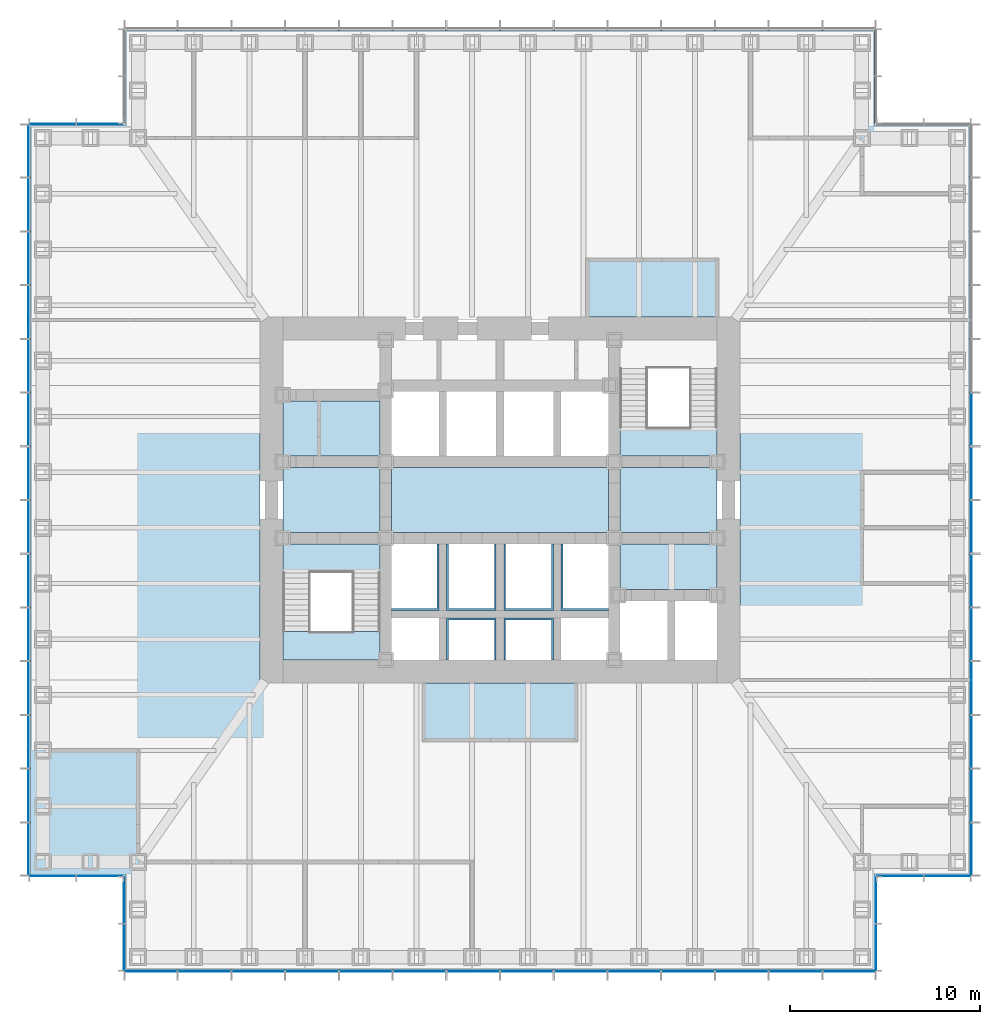
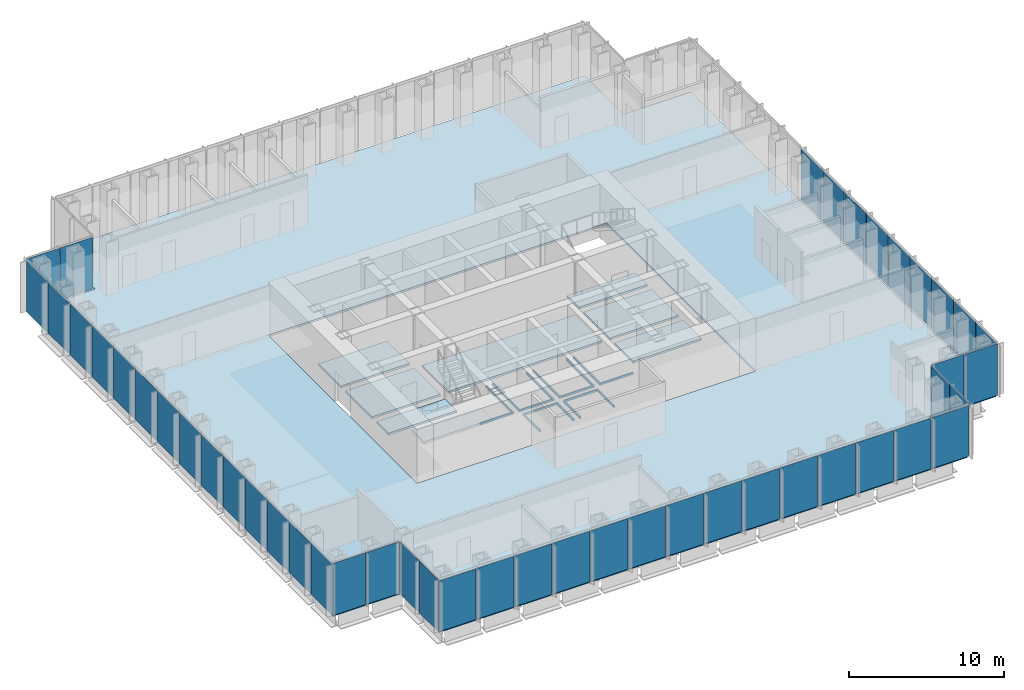
# One storey, part 7 of 16: 47 plates, 15 slabs, 9 elements without a shape of their own.
"""IFC4 building model written with IfcOpenShell, lengths in metres."""

from ifc_helpers import new_model, si_unit, direction, frame, origin, origin_2d, place, context, subcontext, project, spatial, polyline, rectangle, outline, extrude, material, layer, layer_set, type_object, element, aggregate, save


model = new_model("IFC4")

# Units and contexts
model_context = context("Model", 3, precision=1e-05, world=origin(), true_north=direction((0.0, 1.0)))
body_context = subcontext(model_context, "Body", "Model", "MODEL_VIEW")
ifc_project = project(units=[si_unit("LENGTHUNIT", "METRE"), si_unit("AREAUNIT", "SQUARE_METRE"), si_unit("VOLUMEUNIT", "CUBIC_METRE"), si_unit("PLANEANGLEUNIT", "RADIAN"), si_unit("MASSUNIT", "GRAM", prefix="KILO")], contexts=[model_context])

# Site, building, storey
site_placement = place(None, origin())
site = spatial("IfcSite", under=ifc_project, at=site_placement, CompositionType="ELEMENT")
building_placement = place(site_placement, origin())
building = spatial("IfcBuilding", under=site, at=building_placement, Name="Daluyong Arena Tower", CompositionType="ELEMENT")
storey_placement = place(building_placement, frame((0.0, 0.0, 68.5)))
storey = spatial("IfcBuildingStorey", under=building, at=storey_placement, Name="L14", CompositionType="ELEMENT", Elevation=68.5)

# Curtain wall, plates
ifc_material_1 = material(Name="Bronze anodised aluminium and glass", Category="aluminium")
curtain_wall_type_1 = type_object("IfcCurtainWallType", Name="Curtain wall CW1", PredefinedType="USERDEFINED", material=ifc_material_1)
curtain_wall_1_placement = place(storey_placement, origin())
curtain_wall_1 = element("IfcCurtainWall", 1, at=curtain_wall_1_placement, inside=storey, type_object=curtain_wall_type_1, Name="curtain wall L14 S", ObjectType="UNITISED CURTAIN WALL", PredefinedType="USERDEFINED")
ifc_material_2 = material(Name="Tinted double glazed unit", Category="glass")
ifc_layer_1 = layer(ifc_material_2, 0.031982421875)
ifc_layer_set_1 = layer_set([ifc_layer_1], Name="Tinted double glazed unit")
plate_type_1 = type_object("IfcPlateType", Name="CW1 panel 32", PredefinedType="CURTAIN_PANEL", material=ifc_layer_set_1)
plate_1_placement = place(storey_placement, frame((37.6806640625, 55.25, 0.0), z_axis=(0.0, 0.0, 1.0), x_axis=(1.0, 0.0, 0.0)))
plate_1 = element("IfcPlate", 2, at=plate_1_placement, type_object=plate_type_1, Name="curtain wall L14 S panel 1", PredefinedType="CURTAIN_PANEL", context=body_context, shape_type="SweptSolid", body=[
    extrude(rectangle(XDim=2.701416015625, YDim=0.031982421875, at=origin_2d()), origin(), (0.0, 0.0, 1.0), 4.0),
])
plate_2_placement = place(storey_placement, frame((40.482177734375, 55.25, 0.0), z_axis=(0.0, 0.0, 1.0), x_axis=(1.0, 0.0, 0.0)))
plate_2 = element("IfcPlate", 3, at=plate_2_placement, type_object=plate_type_1, Name="curtain wall L14 S panel 2", PredefinedType="CURTAIN_PANEL", context=body_context, shape_type="SweptSolid", body=[
    extrude(rectangle(XDim=2.741455078125, YDim=0.031982421875, at=origin_2d()), origin(), (0.0, 0.0, 1.0), 4.0),
])
plate_3_placement = place(storey_placement, frame((43.303466796875, 55.25, 0.0), z_axis=(0.0, 0.0, 1.0), x_axis=(1.0, 0.0, 0.0)))
plate_3 = element("IfcPlate", 4, at=plate_3_placement, type_object=plate_type_1, Name="curtain wall L14 S panel 3", PredefinedType="CURTAIN_PANEL", context=body_context, shape_type="SweptSolid", body=[
    extrude(rectangle(XDim=2.741455078125, YDim=0.031982421875, at=origin_2d()), origin(), (0.0, 0.0, 1.0), 4.0),
])
plate_4_placement = place(storey_placement, frame((46.125, 55.25, 0.0), z_axis=(0.0, 0.0, 1.0), x_axis=(1.0, 0.0, 0.0)))
plate_4 = element("IfcPlate", 5, at=plate_4_placement, type_object=plate_type_1, Name="curtain wall L14 S panel 4", PredefinedType="CURTAIN_PANEL", context=body_context, shape_type="SweptSolid", body=[
    extrude(rectangle(XDim=2.741455078125, YDim=0.031982421875, at=origin_2d()), origin(), (0.0, 0.0, 1.0), 4.0),
])
plate_5_placement = place(storey_placement, frame((48.946533203125, 55.25, 0.0), z_axis=(0.0, 0.0, 1.0), x_axis=(1.0, 0.0, 0.0)))
plate_5 = element("IfcPlate", 6, at=plate_5_placement, type_object=plate_type_1, Name="curtain wall L14 S panel 5", PredefinedType="CURTAIN_PANEL", context=body_context, shape_type="SweptSolid", body=[
    extrude(rectangle(XDim=2.741455078125, YDim=0.031982421875, at=origin_2d()), origin(), (0.0, 0.0, 1.0), 4.0),
])
plate_6_placement = place(storey_placement, frame((51.767822265625, 55.25, 0.0), z_axis=(0.0, 0.0, 1.0), x_axis=(1.0, 0.0, 0.0)))
plate_6 = element("IfcPlate", 7, at=plate_6_placement, type_object=plate_type_1, Name="curtain wall L14 S panel 6", PredefinedType="CURTAIN_PANEL", context=body_context, shape_type="SweptSolid", body=[
    extrude(rectangle(XDim=2.741455078125, YDim=0.031982421875, at=origin_2d()), origin(), (0.0, 0.0, 1.0), 4.0),
])
plate_7_placement = place(storey_placement, frame((54.58935546875, 55.25, 0.0), z_axis=(0.0, 0.0, 1.0), x_axis=(1.0, 0.0, 0.0)))
plate_7 = element("IfcPlate", 8, at=plate_7_placement, type_object=plate_type_1, Name="curtain wall L14 S panel 7", PredefinedType="CURTAIN_PANEL", context=body_context, shape_type="SweptSolid", body=[
    extrude(rectangle(XDim=2.741455078125, YDim=0.031982421875, at=origin_2d()), origin(), (0.0, 0.0, 1.0), 4.0),
])
plate_8_placement = place(storey_placement, frame((57.41064453125, 55.25, 0.0), z_axis=(0.0, 0.0, 1.0), x_axis=(1.0, 0.0, 0.0)))
plate_8 = element("IfcPlate", 9, at=plate_8_placement, type_object=plate_type_1, Name="curtain wall L14 S panel 8", PredefinedType="CURTAIN_PANEL", context=body_context, shape_type="SweptSolid", body=[
    extrude(rectangle(XDim=2.741455078125, YDim=0.031982421875, at=origin_2d()), origin(), (0.0, 0.0, 1.0), 4.0),
])
plate_9_placement = place(storey_placement, frame((60.232177734375, 55.25, 0.0), z_axis=(0.0, 0.0, 1.0), x_axis=(1.0, 0.0, 0.0)))
plate_9 = element("IfcPlate", 10, at=plate_9_placement, type_object=plate_type_1, Name="curtain wall L14 S panel 9", PredefinedType="CURTAIN_PANEL", context=body_context, shape_type="SweptSolid", body=[
    extrude(rectangle(XDim=2.741455078125, YDim=0.031982421875, at=origin_2d()), origin(), (0.0, 0.0, 1.0), 4.0),
])
plate_10_placement = place(storey_placement, frame((63.053466796875, 55.25, 0.0), z_axis=(0.0, 0.0, 1.0), x_axis=(1.0, 0.0, 0.0)))
plate_10 = element("IfcPlate", 11, at=plate_10_placement, type_object=plate_type_1, Name="curtain wall L14 S panel 10", PredefinedType="CURTAIN_PANEL", context=body_context, shape_type="SweptSolid", body=[
    extrude(rectangle(XDim=2.741455078125, YDim=0.031982421875, at=origin_2d()), origin(), (0.0, 0.0, 1.0), 4.0),
])
plate_11_placement = place(storey_placement, frame((65.875, 55.25, 0.0), z_axis=(0.0, 0.0, 1.0), x_axis=(1.0, 0.0, 0.0)))
plate_11 = element("IfcPlate", 12, at=plate_11_placement, type_object=plate_type_1, Name="curtain wall L14 S panel 11", PredefinedType="CURTAIN_PANEL", context=body_context, shape_type="SweptSolid", body=[
    extrude(rectangle(XDim=2.741455078125, YDim=0.031982421875, at=origin_2d()), origin(), (0.0, 0.0, 1.0), 4.0),
])
plate_12_placement = place(storey_placement, frame((68.696533203125, 55.25, 0.0), z_axis=(0.0, 0.0, 1.0), x_axis=(1.0, 0.0, 0.0)))
plate_12 = element("IfcPlate", 13, at=plate_12_placement, type_object=plate_type_1, Name="curtain wall L14 S panel 12", PredefinedType="CURTAIN_PANEL", context=body_context, shape_type="SweptSolid", body=[
    extrude(rectangle(XDim=2.741455078125, YDim=0.031982421875, at=origin_2d()), origin(), (0.0, 0.0, 1.0), 4.0),
])
plate_13_placement = place(storey_placement, frame((71.517822265625, 55.25, 0.0), z_axis=(0.0, 0.0, 1.0), x_axis=(1.0, 0.0, 0.0)))
plate_13 = element("IfcPlate", 14, at=plate_13_placement, type_object=plate_type_1, Name="curtain wall L14 S panel 13", PredefinedType="CURTAIN_PANEL", context=body_context, shape_type="SweptSolid", body=[
    extrude(rectangle(XDim=2.741455078125, YDim=0.031982421875, at=origin_2d()), origin(), (0.0, 0.0, 1.0), 4.0),
])
plate_14_placement = place(storey_placement, frame((74.3193359375, 55.25, 0.0), z_axis=(0.0, 0.0, 1.0), x_axis=(1.0, 0.0, 0.0)))
plate_14 = element("IfcPlate", 15, at=plate_14_placement, type_object=plate_type_1, Name="curtain wall L14 S panel 14", PredefinedType="CURTAIN_PANEL", context=body_context, shape_type="SweptSolid", body=[
    extrude(rectangle(XDim=2.701416015625, YDim=0.031982421875, at=origin_2d()), origin(), (0.0, 0.0, 1.0), 4.0),
])
aggregate(curtain_wall_1, [plate_1, plate_2, plate_3, plate_4, plate_5, plate_6, plate_7, plate_8, plate_9, plate_10, plate_11, plate_12, plate_13, plate_14])

curtain_wall_2_placement = place(storey_placement, origin())
curtain_wall_2 = element("IfcCurtainWall", 16, at=curtain_wall_2_placement, inside=storey, type_object=curtain_wall_type_1, Name="curtain wall L14 E", ObjectType="UNITISED CURTAIN WALL", PredefinedType="USERDEFINED")
plate_15_placement = place(storey_placement, frame((80.75, 61.6806640625, 0.0), z_axis=(0.0, 0.0, 1.0), x_axis=(0.0, 1.0, 0.0)))
plate_15 = element("IfcPlate", 17, at=plate_15_placement, type_object=plate_type_1, Name="curtain wall L14 E panel 1", PredefinedType="CURTAIN_PANEL", context=body_context, shape_type="SweptSolid", body=[
    extrude(rectangle(XDim=2.701416015625, YDim=0.031982421875, at=origin_2d()), origin(), (0.0, 0.0, 1.0), 4.0),
])
plate_16_placement = place(storey_placement, frame((80.75, 64.482177734375, 0.0), z_axis=(0.0, 0.0, 1.0), x_axis=(0.0, 1.0, 0.0)))
plate_16 = element("IfcPlate", 18, at=plate_16_placement, type_object=plate_type_1, Name="curtain wall L14 E panel 2", PredefinedType="CURTAIN_PANEL", context=body_context, shape_type="SweptSolid", body=[
    extrude(rectangle(XDim=2.741455078125, YDim=0.031982421875, at=origin_2d()), origin(), (0.0, 0.0, 1.0), 4.0),
])
plate_17_placement = place(storey_placement, frame((80.75, 67.303466796875, 0.0), z_axis=(0.0, 0.0, 1.0), x_axis=(0.0, 1.0, 0.0)))
plate_17 = element("IfcPlate", 19, at=plate_17_placement, type_object=plate_type_1, Name="curtain wall L14 E panel 3", PredefinedType="CURTAIN_PANEL", context=body_context, shape_type="SweptSolid", body=[
    extrude(rectangle(XDim=2.741455078125, YDim=0.031982421875, at=origin_2d()), origin(), (0.0, 0.0, 1.0), 4.0),
])
plate_18_placement = place(storey_placement, frame((80.75, 70.125, 0.0), z_axis=(0.0, 0.0, 1.0), x_axis=(0.0, 1.0, 0.0)))
plate_18 = element("IfcPlate", 20, at=plate_18_placement, type_object=plate_type_1, Name="curtain wall L14 E panel 4", PredefinedType="CURTAIN_PANEL", context=body_context, shape_type="SweptSolid", body=[
    extrude(rectangle(XDim=2.741455078125, YDim=0.031982421875, at=origin_2d()), origin(), (0.0, 0.0, 1.0), 4.0),
])
plate_19_placement = place(storey_placement, frame((80.75, 72.946533203125, 0.0), z_axis=(0.0, 0.0, 1.0), x_axis=(0.0, 1.0, 0.0)))
plate_19 = element("IfcPlate", 21, at=plate_19_placement, type_object=plate_type_1, Name="curtain wall L14 E panel 5", PredefinedType="CURTAIN_PANEL", context=body_context, shape_type="SweptSolid", body=[
    extrude(rectangle(XDim=2.741455078125, YDim=0.031982421875, at=origin_2d()), origin(), (0.0, 0.0, 1.0), 4.0),
])
plate_20_placement = place(storey_placement, frame((80.75, 75.767822265625, 0.0), z_axis=(0.0, 0.0, 1.0), x_axis=(0.0, 1.0, 0.0)))
plate_20 = element("IfcPlate", 22, at=plate_20_placement, type_object=plate_type_1, Name="curtain wall L14 E panel 6", PredefinedType="CURTAIN_PANEL", context=body_context, shape_type="SweptSolid", body=[
    extrude(rectangle(XDim=2.741455078125, YDim=0.031982421875, at=origin_2d()), origin(), (0.0, 0.0, 1.0), 4.0),
])
plate_21_placement = place(storey_placement, frame((80.75, 78.58935546875, 0.0), z_axis=(0.0, 0.0, 1.0), x_axis=(0.0, 1.0, 0.0)))
plate_21 = element("IfcPlate", 23, at=plate_21_placement, type_object=plate_type_1, Name="curtain wall L14 E panel 7", PredefinedType="CURTAIN_PANEL", context=body_context, shape_type="SweptSolid", body=[
    extrude(rectangle(XDim=2.741455078125, YDim=0.031982421875, at=origin_2d()), origin(), (0.0, 0.0, 1.0), 4.0),
])
plate_22_placement = place(storey_placement, frame((80.75, 81.41064453125, 0.0), z_axis=(0.0, 0.0, 1.0), x_axis=(0.0, 1.0, 0.0)))
plate_22 = element("IfcPlate", 24, at=plate_22_placement, type_object=plate_type_1, Name="curtain wall L14 E panel 8", PredefinedType="CURTAIN_PANEL", context=body_context, shape_type="SweptSolid", body=[
    extrude(rectangle(XDim=2.741455078125, YDim=0.031982421875, at=origin_2d()), origin(), (0.0, 0.0, 1.0), 4.0),
])
plate_23_placement = place(storey_placement, frame((80.75, 84.232177734375, 0.0), z_axis=(0.0, 0.0, 1.0), x_axis=(0.0, 1.0, 0.0)))
plate_23 = element("IfcPlate", 25, at=plate_23_placement, type_object=plate_type_1, Name="curtain wall L14 E panel 9", PredefinedType="CURTAIN_PANEL", context=body_context, shape_type="SweptSolid", body=[
    extrude(rectangle(XDim=2.741455078125, YDim=0.031982421875, at=origin_2d()), origin(), (0.0, 0.0, 1.0), 4.0),
])
aggregate(curtain_wall_2, [plate_15, plate_16, plate_17, plate_18, plate_19, plate_20, plate_21, plate_22, plate_23])

curtain_wall_3_placement = place(storey_placement, origin())
curtain_wall_3 = element("IfcCurtainWall", 26, at=curtain_wall_3_placement, inside=storey, type_object=curtain_wall_type_1, Name="curtain wall L14 W", ObjectType="UNITISED CURTAIN WALL", PredefinedType="USERDEFINED")
plate_24_placement = place(storey_placement, frame((31.25, 98.3193359375, 0.0), z_axis=(0.0, 0.0, 1.0), x_axis=(0.0, -1.0, 0.0)))
plate_24 = element("IfcPlate", 27, at=plate_24_placement, type_object=plate_type_1, Name="curtain wall L14 W panel 1", PredefinedType="CURTAIN_PANEL", context=body_context, shape_type="SweptSolid", body=[
    extrude(rectangle(XDim=2.701416015625, YDim=0.031982421875, at=origin_2d()), origin(), (0.0, 0.0, 1.0), 4.0),
])
plate_25_placement = place(storey_placement, frame((31.25, 95.517822265625, 0.0), z_axis=(0.0, 0.0, 1.0), x_axis=(0.0, -1.0, 0.0)))
plate_25 = element("IfcPlate", 28, at=plate_25_placement, type_object=plate_type_1, Name="curtain wall L14 W panel 2", PredefinedType="CURTAIN_PANEL", context=body_context, shape_type="SweptSolid", body=[
    extrude(rectangle(XDim=2.741455078125, YDim=0.031982421875, at=origin_2d()), origin(), (0.0, 0.0, 1.0), 4.0),
])
plate_26_placement = place(storey_placement, frame((31.25, 92.696533203125, 0.0), z_axis=(0.0, 0.0, 1.0), x_axis=(0.0, -1.0, 0.0)))
plate_26 = element("IfcPlate", 29, at=plate_26_placement, type_object=plate_type_1, Name="curtain wall L14 W panel 3", PredefinedType="CURTAIN_PANEL", context=body_context, shape_type="SweptSolid", body=[
    extrude(rectangle(XDim=2.741455078125, YDim=0.031982421875, at=origin_2d()), origin(), (0.0, 0.0, 1.0), 4.0),
])
plate_27_placement = place(storey_placement, frame((31.25, 89.875, 0.0), z_axis=(0.0, 0.0, 1.0), x_axis=(0.0, -1.0, 0.0)))
plate_27 = element("IfcPlate", 30, at=plate_27_placement, type_object=plate_type_1, Name="curtain wall L14 W panel 4", PredefinedType="CURTAIN_PANEL", context=body_context, shape_type="SweptSolid", body=[
    extrude(rectangle(XDim=2.741455078125, YDim=0.031982421875, at=origin_2d()), origin(), (0.0, 0.0, 1.0), 4.0),
])
plate_28_placement = place(storey_placement, frame((31.25, 87.053466796875, 0.0), z_axis=(0.0, 0.0, 1.0), x_axis=(0.0, -1.0, 0.0)))
plate_28 = element("IfcPlate", 31, at=plate_28_placement, type_object=plate_type_1, Name="curtain wall L14 W panel 5", PredefinedType="CURTAIN_PANEL", context=body_context, shape_type="SweptSolid", body=[
    extrude(rectangle(XDim=2.741455078125, YDim=0.031982421875, at=origin_2d()), origin(), (0.0, 0.0, 1.0), 4.0),
])
plate_29_placement = place(storey_placement, frame((31.25, 84.232177734375, 0.0), z_axis=(0.0, 0.0, 1.0), x_axis=(0.0, -1.0, 0.0)))
plate_29 = element("IfcPlate", 32, at=plate_29_placement, type_object=plate_type_1, Name="curtain wall L14 W panel 6", PredefinedType="CURTAIN_PANEL", context=body_context, shape_type="SweptSolid", body=[
    extrude(rectangle(XDim=2.741455078125, YDim=0.031982421875, at=origin_2d()), origin(), (0.0, 0.0, 1.0), 4.0),
])
plate_30_placement = place(storey_placement, frame((31.25, 81.41064453125, 0.0), z_axis=(0.0, 0.0, 1.0), x_axis=(0.0, -1.0, 0.0)))
plate_30 = element("IfcPlate", 33, at=plate_30_placement, type_object=plate_type_1, Name="curtain wall L14 W panel 7", PredefinedType="CURTAIN_PANEL", context=body_context, shape_type="SweptSolid", body=[
    extrude(rectangle(XDim=2.741455078125, YDim=0.031982421875, at=origin_2d()), origin(), (0.0, 0.0, 1.0), 4.0),
])
plate_31_placement = place(storey_placement, frame((31.25, 78.58935546875, 0.0), z_axis=(0.0, 0.0, 1.0), x_axis=(0.0, -1.0, 0.0)))
plate_31 = element("IfcPlate", 34, at=plate_31_placement, type_object=plate_type_1, Name="curtain wall L14 W panel 8", PredefinedType="CURTAIN_PANEL", context=body_context, shape_type="SweptSolid", body=[
    extrude(rectangle(XDim=2.741455078125, YDim=0.031982421875, at=origin_2d()), origin(), (0.0, 0.0, 1.0), 4.0),
])
plate_32_placement = place(storey_placement, frame((31.25, 75.767822265625, 0.0), z_axis=(0.0, 0.0, 1.0), x_axis=(0.0, -1.0, 0.0)))
plate_32 = element("IfcPlate", 35, at=plate_32_placement, type_object=plate_type_1, Name="curtain wall L14 W panel 9", PredefinedType="CURTAIN_PANEL", context=body_context, shape_type="SweptSolid", body=[
    extrude(rectangle(XDim=2.741455078125, YDim=0.031982421875, at=origin_2d()), origin(), (0.0, 0.0, 1.0), 4.0),
])
plate_33_placement = place(storey_placement, frame((31.25, 72.946533203125, 0.0), z_axis=(0.0, 0.0, 1.0), x_axis=(0.0, -1.0, 0.0)))
plate_33 = element("IfcPlate", 36, at=plate_33_placement, type_object=plate_type_1, Name="curtain wall L14 W panel 10", PredefinedType="CURTAIN_PANEL", context=body_context, shape_type="SweptSolid", body=[
    extrude(rectangle(XDim=2.741455078125, YDim=0.031982421875, at=origin_2d()), origin(), (0.0, 0.0, 1.0), 4.0),
])
plate_34_placement = place(storey_placement, frame((31.25, 70.125, 0.0), z_axis=(0.0, 0.0, 1.0), x_axis=(0.0, -1.0, 0.0)))
plate_34 = element("IfcPlate", 37, at=plate_34_placement, type_object=plate_type_1, Name="curtain wall L14 W panel 11", PredefinedType="CURTAIN_PANEL", context=body_context, shape_type="SweptSolid", body=[
    extrude(rectangle(XDim=2.741455078125, YDim=0.031982421875, at=origin_2d()), origin(), (0.0, 0.0, 1.0), 4.0),
])
plate_35_placement = place(storey_placement, frame((31.25, 67.303466796875, 0.0), z_axis=(0.0, 0.0, 1.0), x_axis=(0.0, -1.0, 0.0)))
plate_35 = element("IfcPlate", 38, at=plate_35_placement, type_object=plate_type_1, Name="curtain wall L14 W panel 12", PredefinedType="CURTAIN_PANEL", context=body_context, shape_type="SweptSolid", body=[
    extrude(rectangle(XDim=2.741455078125, YDim=0.031982421875, at=origin_2d()), origin(), (0.0, 0.0, 1.0), 4.0),
])
plate_36_placement = place(storey_placement, frame((31.25, 64.482177734375, 0.0), z_axis=(0.0, 0.0, 1.0), x_axis=(0.0, -1.0, 0.0)))
plate_36 = element("IfcPlate", 39, at=plate_36_placement, type_object=plate_type_1, Name="curtain wall L14 W panel 13", PredefinedType="CURTAIN_PANEL", context=body_context, shape_type="SweptSolid", body=[
    extrude(rectangle(XDim=2.741455078125, YDim=0.031982421875, at=origin_2d()), origin(), (0.0, 0.0, 1.0), 4.0),
])
plate_37_placement = place(storey_placement, frame((31.25, 61.6806640625, 0.0), z_axis=(0.0, 0.0, 1.0), x_axis=(0.0, -1.0, 0.0)))
plate_37 = element("IfcPlate", 40, at=plate_37_placement, type_object=plate_type_1, Name="curtain wall L14 W panel 14", PredefinedType="CURTAIN_PANEL", context=body_context, shape_type="SweptSolid", body=[
    extrude(rectangle(XDim=2.701416015625, YDim=0.031982421875, at=origin_2d()), origin(), (0.0, 0.0, 1.0), 4.0),
])
aggregate(curtain_wall_3, [plate_24, plate_25, plate_26, plate_27, plate_28, plate_29, plate_30, plate_31, plate_32, plate_33, plate_34, plate_35, plate_36, plate_37])

ifc_material_3 = material(Name="Bronze anodised aluminium and glass", Category="aluminium")
curtain_wall_type_2 = type_object("IfcCurtainWallType", Name="Curtain wall CW7", PredefinedType="USERDEFINED", material=ifc_material_3)
curtain_wall_4_placement = place(storey_placement, origin())
curtain_wall_4 = element("IfcCurtainWall", 41, at=curtain_wall_4_placement, inside=storey, type_object=curtain_wall_type_2, Name="curtain wall L14 SE-E", ObjectType="UNITISED CURTAIN WALL", PredefinedType="USERDEFINED")
ifc_material_4 = material(Name="Tinted double glazed unit", Category="glass")
ifc_layer_2 = layer(ifc_material_4, 0.028076171875)
ifc_layer_set_2 = layer_set([ifc_layer_2], Name="Tinted double glazed unit")
plate_type_2 = type_object("IfcPlateType", Name="CW7 panel 28", PredefinedType="CURTAIN_PANEL", material=ifc_layer_set_2)
plate_38_placement = place(storey_placement, frame((75.75, 56.514892578125, 0.0), z_axis=(0.0, 0.0, 1.0), x_axis=(0.0, 1.0, 0.0)))
plate_38 = element("IfcPlate", 42, at=plate_38_placement, type_object=plate_type_2, Name="curtain wall L14 SE-E panel 1", PredefinedType="CURTAIN_PANEL", context=body_context, shape_type="SweptSolid", body=[
    extrude(rectangle(XDim=2.409912109375, YDim=0.028076171875, at=origin_2d()), origin(), (0.0, 0.0, 1.0), 4.080078125),
])
plate_39_placement = place(storey_placement, frame((75.75, 58.985107421875, 0.0), z_axis=(0.0, 0.0, 1.0), x_axis=(0.0, 1.0, 0.0)))
plate_39 = element("IfcPlate", 43, at=plate_39_placement, type_object=plate_type_2, Name="curtain wall L14 SE-E panel 2", PredefinedType="CURTAIN_PANEL", context=body_context, shape_type="SweptSolid", body=[
    extrude(rectangle(XDim=2.409912109375, YDim=0.028076171875, at=origin_2d()), origin(), (0.0, 0.0, 1.0), 4.080078125),
])
aggregate(curtain_wall_4, [plate_38, plate_39])

curtain_wall_5_placement = place(storey_placement, origin())
curtain_wall_5 = element("IfcCurtainWall", 44, at=curtain_wall_5_placement, inside=storey, type_object=curtain_wall_type_2, Name="curtain wall L14 SE-S", ObjectType="UNITISED CURTAIN WALL", PredefinedType="USERDEFINED")
plate_40_placement = place(storey_placement, frame((77.014892578125, 60.25, 0.0), z_axis=(0.0, 0.0, 1.0), x_axis=(1.0, 0.0, 0.0)))
plate_40 = element("IfcPlate", 45, at=plate_40_placement, type_object=plate_type_2, Name="curtain wall L14 SE-S panel 1", PredefinedType="CURTAIN_PANEL", context=body_context, shape_type="SweptSolid", body=[
    extrude(rectangle(XDim=2.409912109375, YDim=0.028076171875, at=origin_2d()), origin(), (0.0, 0.0, 1.0), 4.080078125),
])
plate_41_placement = place(storey_placement, frame((79.485107421875, 60.25, 0.0), z_axis=(0.0, 0.0, 1.0), x_axis=(1.0, 0.0, 0.0)))
plate_41 = element("IfcPlate", 46, at=plate_41_placement, type_object=plate_type_2, Name="curtain wall L14 SE-S panel 2", PredefinedType="CURTAIN_PANEL", context=body_context, shape_type="SweptSolid", body=[
    extrude(rectangle(XDim=2.409912109375, YDim=0.028076171875, at=origin_2d()), origin(), (0.0, 0.0, 1.0), 4.080078125),
])
aggregate(curtain_wall_5, [plate_40, plate_41])

curtain_wall_6_placement = place(storey_placement, origin())
curtain_wall_6 = element("IfcCurtainWall", 47, at=curtain_wall_6_placement, inside=storey, type_object=curtain_wall_type_2, Name="curtain wall L14 NW-N", ObjectType="UNITISED CURTAIN WALL", PredefinedType="USERDEFINED")
plate_42_placement = place(storey_placement, frame((34.985107421875, 99.75, 0.0), z_axis=(0.0, 0.0, 1.0), x_axis=(-1.0, 0.0, 0.0)))
plate_42 = element("IfcPlate", 48, at=plate_42_placement, type_object=plate_type_2, Name="curtain wall L14 NW-N panel 1", PredefinedType="CURTAIN_PANEL", context=body_context, shape_type="SweptSolid", body=[
    extrude(rectangle(XDim=2.409912109375, YDim=0.028076171875, at=origin_2d()), origin(), (0.0, 0.0, 1.0), 4.080078125),
])
plate_43_placement = place(storey_placement, frame((32.514892578125, 99.75, 0.0), z_axis=(0.0, 0.0, 1.0), x_axis=(-1.0, 0.0, 0.0)))
plate_43 = element("IfcPlate", 49, at=plate_43_placement, type_object=plate_type_2, Name="curtain wall L14 NW-N panel 2", PredefinedType="CURTAIN_PANEL", context=body_context, shape_type="SweptSolid", body=[
    extrude(rectangle(XDim=2.409912109375, YDim=0.028076171875, at=origin_2d()), origin(), (0.0, 0.0, 1.0), 4.080078125),
])
aggregate(curtain_wall_6, [plate_42, plate_43])

curtain_wall_7_placement = place(storey_placement, origin())
curtain_wall_7 = element("IfcCurtainWall", 50, at=curtain_wall_7_placement, inside=storey, type_object=curtain_wall_type_2, Name="curtain wall L14 SW-S", ObjectType="UNITISED CURTAIN WALL", PredefinedType="USERDEFINED")
plate_44_placement = place(storey_placement, frame((32.514892578125, 60.25, 0.0), z_axis=(0.0, 0.0, 1.0), x_axis=(1.0, 0.0, 0.0)))
plate_44 = element("IfcPlate", 51, at=plate_44_placement, type_object=plate_type_2, Name="curtain wall L14 SW-S panel 1", PredefinedType="CURTAIN_PANEL", context=body_context, shape_type="SweptSolid", body=[
    extrude(rectangle(XDim=2.409912109375, YDim=0.028076171875, at=origin_2d()), origin(), (0.0, 0.0, 1.0), 4.080078125),
])
plate_45_placement = place(storey_placement, frame((34.985107421875, 60.25, 0.0), z_axis=(0.0, 0.0, 1.0), x_axis=(1.0, 0.0, 0.0)))
plate_45 = element("IfcPlate", 52, at=plate_45_placement, type_object=plate_type_2, Name="curtain wall L14 SW-S panel 2", PredefinedType="CURTAIN_PANEL", context=body_context, shape_type="SweptSolid", body=[
    extrude(rectangle(XDim=2.409912109375, YDim=0.028076171875, at=origin_2d()), origin(), (0.0, 0.0, 1.0), 4.080078125),
])
aggregate(curtain_wall_7, [plate_44, plate_45])

curtain_wall_8_placement = place(storey_placement, origin())
curtain_wall_8 = element("IfcCurtainWall", 53, at=curtain_wall_8_placement, inside=storey, type_object=curtain_wall_type_2, Name="curtain wall L14 SW-W", ObjectType="UNITISED CURTAIN WALL", PredefinedType="USERDEFINED")
plate_46_placement = place(storey_placement, frame((36.25, 58.985107421875, 0.0), z_axis=(0.0, 0.0, 1.0), x_axis=(0.0, -1.0, 0.0)))
plate_46 = element("IfcPlate", 54, at=plate_46_placement, type_object=plate_type_2, Name="curtain wall L14 SW-W panel 1", PredefinedType="CURTAIN_PANEL", context=body_context, shape_type="SweptSolid", body=[
    extrude(rectangle(XDim=2.409912109375, YDim=0.028076171875, at=origin_2d()), origin(), (0.0, 0.0, 1.0), 4.080078125),
])
plate_47_placement = place(storey_placement, frame((36.25, 56.514892578125, 0.0), z_axis=(0.0, 0.0, 1.0), x_axis=(0.0, -1.0, 0.0)))
plate_47 = element("IfcPlate", 55, at=plate_47_placement, type_object=plate_type_2, Name="curtain wall L14 SW-W panel 2", PredefinedType="CURTAIN_PANEL", context=body_context, shape_type="SweptSolid", body=[
    extrude(rectangle(XDim=2.409912109375, YDim=0.028076171875, at=origin_2d()), origin(), (0.0, 0.0, 1.0), 4.080078125),
])
aggregate(curtain_wall_8, [plate_46, plate_47])

# Stair, slab
ifc_material_5 = material(Name="Concrete fc' 35 MPa", Category="concrete")
stair_type = type_object("IfcStairType", Name="Core exit stair", PredefinedType="HALF_TURN_STAIR", material=ifc_material_5)
stair_placement = place(storey_placement, origin())
stair = element("IfcStair", 56, at=stair_placement, inside=storey, type_object=stair_type, Name="exit stair A L14", PredefinedType="HALF_TURN_STAIR")
ifc_material_6 = material(Name="Concrete fc' 35 MPa", Category="concrete")
ifc_layer_3 = layer(ifc_material_6, 0.199951171875)
ifc_layer_set_3 = layer_set([ifc_layer_3], Name="Concrete fc' 35 MPa")
slab_type_1 = type_object("IfcSlabType", Name="Stair landing 200", PredefinedType="LANDING", material=ifc_layer_set_3)
slab_1_placement = place(storey_placement, frame((0.0, 0.0, 1.89990234375)))
slab_1 = element("IfcSlab", 57, at=slab_1_placement, type_object=slab_type_1, Name="STA landing 1", PredefinedType="LANDING", context=body_context, shape_type="SweptSolid", body=[
    extrude(outline(polyline([(44.60009765625, 71.60009765625), (49.699951171875, 71.60009765625), (49.699951171875, 73.094970703125), (44.60009765625, 73.094970703125), (44.60009765625, 71.60009765625)])), origin(), (0.0, 0.0, 1.0), 0.2001953125),
])
aggregate(stair, [slab_1])

# Slabs
ifc_material_7 = material(Name="Concrete fc' 35 MPa", Category="concrete")
ifc_layer_4 = layer(ifc_material_7, 0.159912109375)
ifc_layer_set_4 = layer_set([ifc_layer_4], Name="Concrete fc' 35 MPa")
slab_type_2 = type_object("IfcSlabType", Name="Tower floor slab 160", PredefinedType="FLOOR", material=ifc_layer_set_4)
slab_2_placement = place(storey_placement, frame((0.0, 0.0, -0.159912109375)))
element("IfcSlab", 58, at=slab_2_placement, inside=storey, type_object=slab_type_2, Name="floor L14 part 1", PredefinedType="FLOOR", context=body_context, shape_type="SweptSolid", body=[
    extrude(outline(polyline([(49.699951171875, 76.175048828125), (49.699951171875, 77.699951171875), (44.60009765625, 77.699951171875), (44.60009765625, 76.175048828125), (49.699951171875, 76.175048828125)])), origin(), (0.0, 0.0, 1.0), 0.159912109375),
])
slab_3_placement = place(storey_placement, frame((0.0, 0.0, -0.159912109375)))
element("IfcSlab", 59, at=slab_3_placement, inside=storey, type_object=slab_type_2, Name="floor L14 part 2", PredefinedType="FLOOR", context=body_context, shape_type="SweptSolid", body=[
    extrude(outline(polyline([(49.699951171875, 78.300048828125), (49.699951171875, 81.699951171875), (44.60009765625, 81.699951171875), (44.60009765625, 78.300048828125), (49.699951171875, 78.300048828125)])), origin(), (0.0, 0.0, 1.0), 0.159912109375),
])
slab_4_placement = place(storey_placement, frame((0.0, 0.0, -0.159912109375)))
element("IfcSlab", 60, at=slab_4_placement, inside=storey, type_object=slab_type_2, Name="floor L14 part 3", PredefinedType="FLOOR", context=body_context, shape_type="SweptSolid", body=[
    extrude(outline(polyline([(49.699951171875, 82.300048828125), (49.699951171875, 85.199951171875), (44.60009765625, 85.199951171875), (44.60009765625, 82.300048828125), (49.699951171875, 82.300048828125)])), origin(), (0.0, 0.0, 1.0), 0.159912109375),
])
slab_5_placement = place(storey_placement, frame((0.0, 0.0, -0.159912109375)))
element("IfcSlab", 61, at=slab_5_placement, inside=storey, type_object=slab_type_2, Name="floor L14 part 5", PredefinedType="FLOOR", context=body_context, shape_type="SweptSolid", body=[
    extrude(outline(polyline([(50.300048828125, 74.300048828125), (50.300048828125, 74.199951171875), (52.800048828125, 74.199951171875), (52.800048828125, 77.699951171875), (52.699951171875, 77.699951171875), (52.699951171875, 74.300048828125), (50.300048828125, 74.300048828125)])), origin(), (0.0, 0.0, 1.0), 0.159912109375),
])
slab_6_placement = place(storey_placement, frame((0.0, 0.0, -0.159912109375)))
element("IfcSlab", 62, at=slab_6_placement, inside=storey, type_object=slab_type_2, Name="floor L14 part 7", PredefinedType="FLOOR", context=body_context, shape_type="SweptSolid", body=[
    extrude(outline(polyline([(55.699951171875, 73.699951171875), (55.699951171875, 71.60009765625), (55.800048828125, 71.60009765625), (55.800048828125, 73.800048828125), (53.199951171875, 73.800048828125), (53.199951171875, 71.60009765625), (53.300048828125, 71.60009765625), (53.300048828125, 73.699951171875), (55.699951171875, 73.699951171875)])), origin(), (0.0, 0.0, 1.0), 0.159912109375),
])
slab_7_placement = place(storey_placement, frame((0.0, 0.0, -0.159912109375)))
element("IfcSlab", 63, at=slab_7_placement, inside=storey, type_object=slab_type_2, Name="floor L14 part 8", PredefinedType="FLOOR", context=body_context, shape_type="SweptSolid", body=[
    extrude(outline(polyline([(53.199951171875, 77.699951171875), (53.199951171875, 74.199951171875), (55.800048828125, 74.199951171875), (55.800048828125, 77.699951171875), (55.699951171875, 77.699951171875), (55.699951171875, 74.300048828125), (53.300048828125, 74.300048828125), (53.300048828125, 77.699951171875), (53.199951171875, 77.699951171875)])), origin(), (0.0, 0.0, 1.0), 0.159912109375),
])
slab_8_placement = place(storey_placement, frame((0.0, 0.0, -0.159912109375)))
element("IfcSlab", 64, at=slab_8_placement, inside=storey, type_object=slab_type_2, Name="floor L14 part 9", PredefinedType="FLOOR", context=body_context, shape_type="SweptSolid", body=[
    extrude(outline(polyline([(36.35009765625, 60.35009765625), (36.35009765625, 55.35009765625), (75.64990234375, 55.35009765625), (75.64990234375, 60.35009765625), (80.64990234375, 60.35009765625), (80.64990234375, 99.64990234375), (75.64990234375, 99.64990234375), (75.64990234375, 104.64990234375), (36.35009765625, 104.64990234375), (36.35009765625, 99.64990234375), (31.35009765625, 99.64990234375), (31.35009765625, 60.35009765625), (36.35009765625, 60.35009765625)]), holes=[polyline([(68.60009765625, 89.60009765625), (68.60009765625, 70.39990234375), (43.39990234375, 70.39990234375), (43.39990234375, 89.60009765625), (68.60009765625, 89.60009765625)])]), origin(), (0.0, 0.0, 1.0), 0.159912109375),
])
slab_9_placement = place(storey_placement, frame((0.0, 0.0, -0.159912109375)))
element("IfcSlab", 65, at=slab_9_placement, inside=storey, type_object=slab_type_2, Name="floor L14 part 10", PredefinedType="FLOOR", context=body_context, shape_type="SweptSolid", body=[
    extrude(outline(polyline([(61.699951171875, 81.699951171875), (50.300048828125, 81.699951171875), (50.300048828125, 78.300048828125), (61.699951171875, 78.300048828125), (61.699951171875, 81.699951171875)])), origin(), (0.0, 0.0, 1.0), 0.159912109375),
])
slab_10_placement = place(storey_placement, frame((0.0, 0.0, -0.159912109375)))
element("IfcSlab", 66, at=slab_10_placement, inside=storey, type_object=slab_type_2, Name="floor L14 part 11", PredefinedType="FLOOR", context=body_context, shape_type="SweptSolid", body=[
    extrude(outline(polyline([(58.699951171875, 73.699951171875), (58.699951171875, 71.60009765625), (58.800048828125, 71.60009765625), (58.800048828125, 73.800048828125), (56.199951171875, 73.800048828125), (56.199951171875, 71.60009765625), (56.300048828125, 71.60009765625), (56.300048828125, 73.699951171875), (58.699951171875, 73.699951171875)])), origin(), (0.0, 0.0, 1.0), 0.159912109375),
])
slab_11_placement = place(storey_placement, frame((0.0, 0.0, -0.159912109375)))
element("IfcSlab", 67, at=slab_11_placement, inside=storey, type_object=slab_type_2, Name="floor L14 part 12", PredefinedType="FLOOR", context=body_context, shape_type="SweptSolid", body=[
    extrude(outline(polyline([(56.199951171875, 77.699951171875), (56.199951171875, 74.199951171875), (58.800048828125, 74.199951171875), (58.800048828125, 77.699951171875), (58.699951171875, 77.699951171875), (58.699951171875, 74.300048828125), (56.300048828125, 74.300048828125), (56.300048828125, 77.699951171875), (56.199951171875, 77.699951171875)])), origin(), (0.0, 0.0, 1.0), 0.159912109375),
])
slab_12_placement = place(storey_placement, frame((0.0, 0.0, -0.159912109375)))
element("IfcSlab", 68, at=slab_12_placement, inside=storey, type_object=slab_type_2, Name="floor L14 part 14", PredefinedType="FLOOR", context=body_context, shape_type="SweptSolid", body=[
    extrude(outline(polyline([(59.199951171875, 74.199951171875), (61.699951171875, 74.199951171875), (61.699951171875, 74.300048828125), (59.300048828125, 74.300048828125), (59.300048828125, 77.699951171875), (59.199951171875, 77.699951171875), (59.199951171875, 74.199951171875)])), origin(), (0.0, 0.0, 1.0), 0.159912109375),
])
slab_13_placement = place(storey_placement, frame((0.0, 0.0, -0.159912109375)))
element("IfcSlab", 69, at=slab_13_placement, inside=storey, type_object=slab_type_2, Name="floor L14 part 15", PredefinedType="FLOOR", context=body_context, shape_type="SweptSolid", body=[
    extrude(outline(polyline([(67.39990234375, 75.300048828125), (67.39990234375, 77.699951171875), (62.300048828125, 77.699951171875), (62.300048828125, 75.300048828125), (67.39990234375, 75.300048828125)])), origin(), (0.0, 0.0, 1.0), 0.159912109375),
])
slab_14_placement = place(storey_placement, frame((0.0, 0.0, -0.159912109375)))
element("IfcSlab", 70, at=slab_14_placement, inside=storey, type_object=slab_type_2, Name="floor L14 part 16", PredefinedType="FLOOR", context=body_context, shape_type="SweptSolid", body=[
    extrude(outline(polyline([(67.39990234375, 78.300048828125), (67.39990234375, 81.699951171875), (62.300048828125, 81.699951171875), (62.300048828125, 78.300048828125), (67.39990234375, 78.300048828125)])), origin(), (0.0, 0.0, 1.0), 0.159912109375),
])
slab_15_placement = place(storey_placement, frame((0.0, 0.0, -0.159912109375)))
element("IfcSlab", 71, at=slab_15_placement, inside=storey, type_object=slab_type_2, Name="floor L14 part 17", PredefinedType="FLOOR", context=body_context, shape_type="SweptSolid", body=[
    extrude(outline(polyline([(67.39990234375, 82.300048828125), (67.39990234375, 83.824951171875), (62.300048828125, 83.824951171875), (62.300048828125, 82.300048828125), (67.39990234375, 82.300048828125)])), origin(), (0.0, 0.0, 1.0), 0.159912109375),
])

save(model, "model.ifc")
